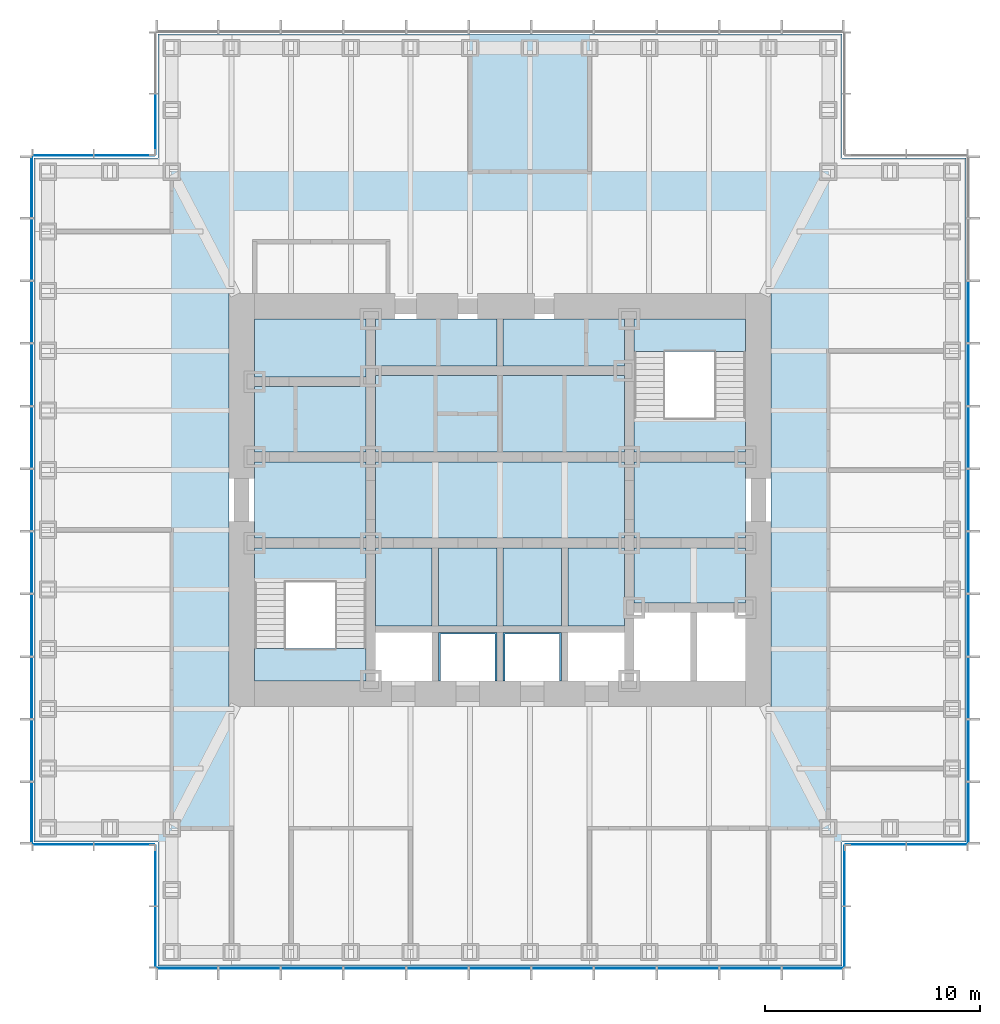
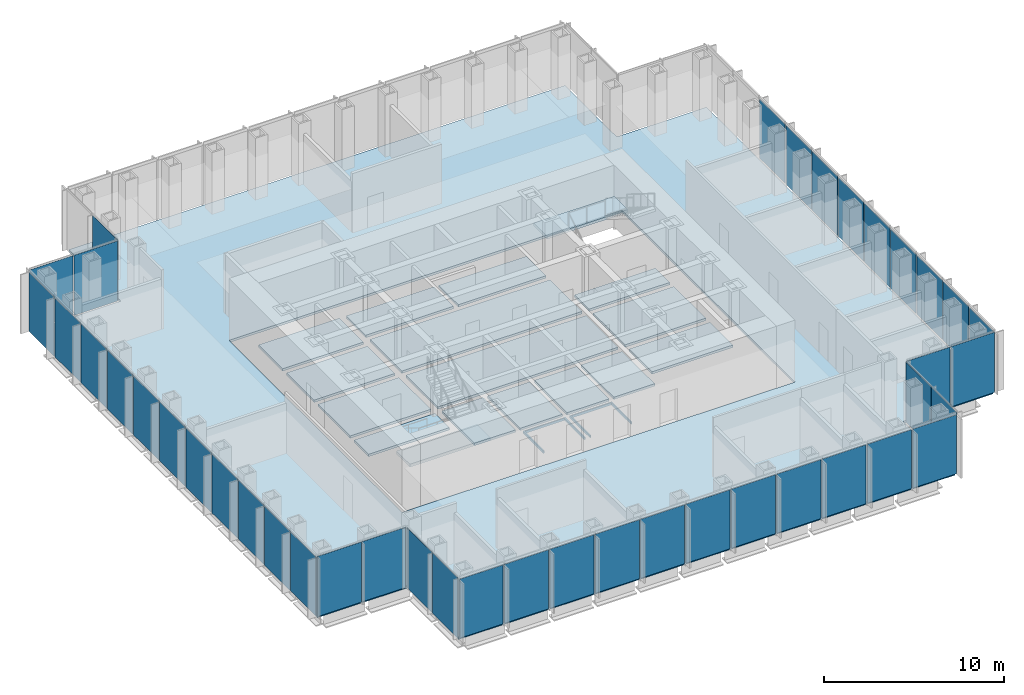
# One storey, part 7 of 16: 42 plates, 20 slabs, 11 elements without a shape of their own.
"""IFC4 building model written with IfcOpenShell, lengths in metres."""

from ifc_helpers import new_model, si_unit, direction, frame, origin, origin_2d, place, context, subcontext, project, spatial, polyline, rectangle, outline, extrude, material, layer, layer_set, type_object, element, aggregate, save


model = new_model("IFC4")

# Units and contexts
model_context = context("Model", 3, precision=1e-05, world=origin(), true_north=direction((0.0, 1.0)))
body_context = subcontext(model_context, "Body", "Model", "MODEL_VIEW")
ifc_project = project(units=[si_unit("LENGTHUNIT", "METRE"), si_unit("AREAUNIT", "SQUARE_METRE"), si_unit("VOLUMEUNIT", "CUBIC_METRE"), si_unit("PLANEANGLEUNIT", "RADIAN"), si_unit("MASSUNIT", "GRAM", prefix="KILO")], contexts=[model_context])

# Site, building, storey
site_placement = place(None, origin())
site = spatial("IfcSite", under=ifc_project, at=site_placement, CompositionType="ELEMENT")
building_placement = place(site_placement, origin())
building = spatial("IfcBuilding", under=site, at=building_placement, Name="Daluyong Arena Tower", CompositionType="ELEMENT")
storey_placement = place(building_placement, frame((0.0, 0.0, 271.300048828125)))
storey = spatial("IfcBuildingStorey", under=building, at=storey_placement, Name="L61", CompositionType="ELEMENT", Elevation=271.300048828125)

# Curtain wall, plates
ifc_material_1 = material(Name="Bronze anodised aluminium and glass", Category="aluminium")
curtain_wall_type_1 = type_object("IfcCurtainWallType", Name="Curtain wall CW4", PredefinedType="USERDEFINED", material=ifc_material_1)
curtain_wall_1_placement = place(storey_placement, origin())
curtain_wall_1 = element("IfcCurtainWall", 1, at=curtain_wall_1_placement, inside=storey, type_object=curtain_wall_type_1, Name="curtain wall L61 S", ObjectType="UNITISED CURTAIN WALL", PredefinedType="USERDEFINED")
ifc_material_2 = material(Name="Tinted laminated double glazed unit", Category="glass")
ifc_layer_1 = layer(ifc_material_2, 0.035888671875)
ifc_layer_set_1 = layer_set([ifc_layer_1], Name="Tinted laminated double glazed unit")
plate_type_1 = type_object("IfcPlateType", Name="CW4 panel 36", PredefinedType="CURTAIN_PANEL", material=ifc_layer_set_1)
plate_1_placement = place(storey_placement, frame((41.47705078125, 58.25, 0.0), z_axis=(0.0, 0.0, 1.0), x_axis=(1.0, 0.0, 0.0)))
plate_1 = element("IfcPlate", 2, at=plate_1_placement, type_object=plate_type_1, Name="curtain wall L61 S panel 1", PredefinedType="CURTAIN_PANEL", context=body_context, shape_type="SweptSolid", body=[
    extrude(rectangle(XDim=2.774169921875, YDim=0.035888671875, at=origin_2d()), origin(), (0.0, 0.0, 1.0), 4.0),
])
plate_2_placement = place(storey_placement, frame((44.363525390625, 58.25, 0.0), z_axis=(0.0, 0.0, 1.0), x_axis=(1.0, 0.0, 0.0)))
plate_2 = element("IfcPlate", 3, at=plate_2_placement, type_object=plate_type_1, Name="curtain wall L61 S panel 2", PredefinedType="CURTAIN_PANEL", context=body_context, shape_type="SweptSolid", body=[
    extrude(rectangle(XDim=2.819091796875, YDim=0.035888671875, at=origin_2d()), origin(), (0.0, 0.0, 1.0), 4.0),
])
plate_3_placement = place(storey_placement, frame((47.272705078125, 58.25, 0.0), z_axis=(0.0, 0.0, 1.0), x_axis=(1.0, 0.0, 0.0)))
plate_3 = element("IfcPlate", 4, at=plate_3_placement, type_object=plate_type_1, Name="curtain wall L61 S panel 3", PredefinedType="CURTAIN_PANEL", context=body_context, shape_type="SweptSolid", body=[
    extrude(rectangle(XDim=2.819091796875, YDim=0.035888671875, at=origin_2d()), origin(), (0.0, 0.0, 1.0), 4.0),
])
plate_4_placement = place(storey_placement, frame((50.181884765625, 58.25, 0.0), z_axis=(0.0, 0.0, 1.0), x_axis=(1.0, 0.0, 0.0)))
plate_4 = element("IfcPlate", 5, at=plate_4_placement, type_object=plate_type_1, Name="curtain wall L61 S panel 4", PredefinedType="CURTAIN_PANEL", context=body_context, shape_type="SweptSolid", body=[
    extrude(rectangle(XDim=2.819091796875, YDim=0.035888671875, at=origin_2d()), origin(), (0.0, 0.0, 1.0), 4.0),
])
plate_5_placement = place(storey_placement, frame((53.0908203125, 58.25, 0.0), z_axis=(0.0, 0.0, 1.0), x_axis=(1.0, 0.0, 0.0)))
plate_5 = element("IfcPlate", 6, at=plate_5_placement, type_object=plate_type_1, Name="curtain wall L61 S panel 5", PredefinedType="CURTAIN_PANEL", context=body_context, shape_type="SweptSolid", body=[
    extrude(rectangle(XDim=2.819091796875, YDim=0.035888671875, at=origin_2d()), origin(), (0.0, 0.0, 1.0), 4.0),
])
plate_6_placement = place(storey_placement, frame((56.0, 58.25, 0.0), z_axis=(0.0, 0.0, 1.0), x_axis=(1.0, 0.0, 0.0)))
plate_6 = element("IfcPlate", 7, at=plate_6_placement, type_object=plate_type_1, Name="curtain wall L61 S panel 6", PredefinedType="CURTAIN_PANEL", context=body_context, shape_type="SweptSolid", body=[
    extrude(rectangle(XDim=2.819091796875, YDim=0.035888671875, at=origin_2d()), origin(), (0.0, 0.0, 1.0), 4.0),
])
plate_7_placement = place(storey_placement, frame((58.9091796875, 58.25, 0.0), z_axis=(0.0, 0.0, 1.0), x_axis=(1.0, 0.0, 0.0)))
plate_7 = element("IfcPlate", 8, at=plate_7_placement, type_object=plate_type_1, Name="curtain wall L61 S panel 7", PredefinedType="CURTAIN_PANEL", context=body_context, shape_type="SweptSolid", body=[
    extrude(rectangle(XDim=2.819091796875, YDim=0.035888671875, at=origin_2d()), origin(), (0.0, 0.0, 1.0), 4.0),
])
plate_8_placement = place(storey_placement, frame((61.818115234375, 58.25, 0.0), z_axis=(0.0, 0.0, 1.0), x_axis=(1.0, 0.0, 0.0)))
plate_8 = element("IfcPlate", 9, at=plate_8_placement, type_object=plate_type_1, Name="curtain wall L61 S panel 8", PredefinedType="CURTAIN_PANEL", context=body_context, shape_type="SweptSolid", body=[
    extrude(rectangle(XDim=2.819091796875, YDim=0.035888671875, at=origin_2d()), origin(), (0.0, 0.0, 1.0), 4.0),
])
plate_9_placement = place(storey_placement, frame((64.727294921875, 58.25, 0.0), z_axis=(0.0, 0.0, 1.0), x_axis=(1.0, 0.0, 0.0)))
plate_9 = element("IfcPlate", 10, at=plate_9_placement, type_object=plate_type_1, Name="curtain wall L61 S panel 9", PredefinedType="CURTAIN_PANEL", context=body_context, shape_type="SweptSolid", body=[
    extrude(rectangle(XDim=2.819091796875, YDim=0.035888671875, at=origin_2d()), origin(), (0.0, 0.0, 1.0), 4.0),
])
plate_10_placement = place(storey_placement, frame((67.636474609375, 58.25, 0.0), z_axis=(0.0, 0.0, 1.0), x_axis=(1.0, 0.0, 0.0)))
plate_10 = element("IfcPlate", 11, at=plate_10_placement, type_object=plate_type_1, Name="curtain wall L61 S panel 10", PredefinedType="CURTAIN_PANEL", context=body_context, shape_type="SweptSolid", body=[
    extrude(rectangle(XDim=2.819091796875, YDim=0.035888671875, at=origin_2d()), origin(), (0.0, 0.0, 1.0), 4.0),
])
plate_11_placement = place(storey_placement, frame((70.52294921875, 58.25, 0.0), z_axis=(0.0, 0.0, 1.0), x_axis=(1.0, 0.0, 0.0)))
plate_11 = element("IfcPlate", 12, at=plate_11_placement, type_object=plate_type_1, Name="curtain wall L61 S panel 11", PredefinedType="CURTAIN_PANEL", context=body_context, shape_type="SweptSolid", body=[
    extrude(rectangle(XDim=2.774169921875, YDim=0.035888671875, at=origin_2d()), origin(), (0.0, 0.0, 1.0), 4.0),
])
aggregate(curtain_wall_1, [plate_1, plate_2, plate_3, plate_4, plate_5, plate_6, plate_7, plate_8, plate_9, plate_10, plate_11])

curtain_wall_2_placement = place(storey_placement, origin())
curtain_wall_2 = element("IfcCurtainWall", 13, at=curtain_wall_2_placement, inside=storey, type_object=curtain_wall_type_1, Name="curtain wall L61 E", ObjectType="UNITISED CURTAIN WALL", PredefinedType="USERDEFINED")
plate_12_placement = place(storey_placement, frame((77.75, 65.47705078125, 0.0), z_axis=(0.0, 0.0, 1.0), x_axis=(0.0, 1.0, 0.0)))
plate_12 = element("IfcPlate", 14, at=plate_12_placement, type_object=plate_type_1, Name="curtain wall L61 E panel 1", PredefinedType="CURTAIN_PANEL", context=body_context, shape_type="SweptSolid", body=[
    extrude(rectangle(XDim=2.774169921875, YDim=0.035888671875, at=origin_2d()), origin(), (0.0, 0.0, 1.0), 4.0),
])
plate_13_placement = place(storey_placement, frame((77.75, 68.363525390625, 0.0), z_axis=(0.0, 0.0, 1.0), x_axis=(0.0, 1.0, 0.0)))
plate_13 = element("IfcPlate", 15, at=plate_13_placement, type_object=plate_type_1, Name="curtain wall L61 E panel 2", PredefinedType="CURTAIN_PANEL", context=body_context, shape_type="SweptSolid", body=[
    extrude(rectangle(XDim=2.819091796875, YDim=0.035888671875, at=origin_2d()), origin(), (0.0, 0.0, 1.0), 4.0),
])
plate_14_placement = place(storey_placement, frame((77.75, 71.272705078125, 0.0), z_axis=(0.0, 0.0, 1.0), x_axis=(0.0, 1.0, 0.0)))
plate_14 = element("IfcPlate", 16, at=plate_14_placement, type_object=plate_type_1, Name="curtain wall L61 E panel 3", PredefinedType="CURTAIN_PANEL", context=body_context, shape_type="SweptSolid", body=[
    extrude(rectangle(XDim=2.819091796875, YDim=0.035888671875, at=origin_2d()), origin(), (0.0, 0.0, 1.0), 4.0),
])
plate_15_placement = place(storey_placement, frame((77.75, 74.181884765625, 0.0), z_axis=(0.0, 0.0, 1.0), x_axis=(0.0, 1.0, 0.0)))
plate_15 = element("IfcPlate", 17, at=plate_15_placement, type_object=plate_type_1, Name="curtain wall L61 E panel 4", PredefinedType="CURTAIN_PANEL", context=body_context, shape_type="SweptSolid", body=[
    extrude(rectangle(XDim=2.819091796875, YDim=0.035888671875, at=origin_2d()), origin(), (0.0, 0.0, 1.0), 4.0),
])
plate_16_placement = place(storey_placement, frame((77.75, 77.0908203125, 0.0), z_axis=(0.0, 0.0, 1.0), x_axis=(0.0, 1.0, 0.0)))
plate_16 = element("IfcPlate", 18, at=plate_16_placement, type_object=plate_type_1, Name="curtain wall L61 E panel 5", PredefinedType="CURTAIN_PANEL", context=body_context, shape_type="SweptSolid", body=[
    extrude(rectangle(XDim=2.819091796875, YDim=0.035888671875, at=origin_2d()), origin(), (0.0, 0.0, 1.0), 4.0),
])
plate_17_placement = place(storey_placement, frame((77.75, 80.0, 0.0), z_axis=(0.0, 0.0, 1.0), x_axis=(0.0, 1.0, 0.0)))
plate_17 = element("IfcPlate", 19, at=plate_17_placement, type_object=plate_type_1, Name="curtain wall L61 E panel 6", PredefinedType="CURTAIN_PANEL", context=body_context, shape_type="SweptSolid", body=[
    extrude(rectangle(XDim=2.819091796875, YDim=0.035888671875, at=origin_2d()), origin(), (0.0, 0.0, 1.0), 4.0),
])
plate_18_placement = place(storey_placement, frame((77.75, 82.9091796875, 0.0), z_axis=(0.0, 0.0, 1.0), x_axis=(0.0, 1.0, 0.0)))
plate_18 = element("IfcPlate", 20, at=plate_18_placement, type_object=plate_type_1, Name="curtain wall L61 E panel 7", PredefinedType="CURTAIN_PANEL", context=body_context, shape_type="SweptSolid", body=[
    extrude(rectangle(XDim=2.819091796875, YDim=0.035888671875, at=origin_2d()), origin(), (0.0, 0.0, 1.0), 4.0),
])
plate_19_placement = place(storey_placement, frame((77.75, 85.818115234375, 0.0), z_axis=(0.0, 0.0, 1.0), x_axis=(0.0, 1.0, 0.0)))
plate_19 = element("IfcPlate", 21, at=plate_19_placement, type_object=plate_type_1, Name="curtain wall L61 E panel 8", PredefinedType="CURTAIN_PANEL", context=body_context, shape_type="SweptSolid", body=[
    extrude(rectangle(XDim=2.819091796875, YDim=0.035888671875, at=origin_2d()), origin(), (0.0, 0.0, 1.0), 4.0),
])
plate_20_placement = place(storey_placement, frame((77.75, 88.727294921875, 0.0), z_axis=(0.0, 0.0, 1.0), x_axis=(0.0, 1.0, 0.0)))
plate_20 = element("IfcPlate", 22, at=plate_20_placement, type_object=plate_type_1, Name="curtain wall L61 E panel 9", PredefinedType="CURTAIN_PANEL", context=body_context, shape_type="SweptSolid", body=[
    extrude(rectangle(XDim=2.819091796875, YDim=0.035888671875, at=origin_2d()), origin(), (0.0, 0.0, 1.0), 4.0),
])
aggregate(curtain_wall_2, [plate_12, plate_13, plate_14, plate_15, plate_16, plate_17, plate_18, plate_19, plate_20])

curtain_wall_3_placement = place(storey_placement, origin())
curtain_wall_3 = element("IfcCurtainWall", 23, at=curtain_wall_3_placement, inside=storey, type_object=curtain_wall_type_1, Name="curtain wall L61 W", ObjectType="UNITISED CURTAIN WALL", PredefinedType="USERDEFINED")
plate_21_placement = place(storey_placement, frame((34.25, 94.52294921875, 0.0), z_axis=(0.0, 0.0, 1.0), x_axis=(0.0, -1.0, 0.0)))
plate_21 = element("IfcPlate", 24, at=plate_21_placement, type_object=plate_type_1, Name="curtain wall L61 W panel 1", PredefinedType="CURTAIN_PANEL", context=body_context, shape_type="SweptSolid", body=[
    extrude(rectangle(XDim=2.774169921875, YDim=0.035888671875, at=origin_2d()), origin(), (0.0, 0.0, 1.0), 4.0),
])
plate_22_placement = place(storey_placement, frame((34.25, 91.636474609375, 0.0), z_axis=(0.0, 0.0, 1.0), x_axis=(0.0, -1.0, 0.0)))
plate_22 = element("IfcPlate", 25, at=plate_22_placement, type_object=plate_type_1, Name="curtain wall L61 W panel 2", PredefinedType="CURTAIN_PANEL", context=body_context, shape_type="SweptSolid", body=[
    extrude(rectangle(XDim=2.819091796875, YDim=0.035888671875, at=origin_2d()), origin(), (0.0, 0.0, 1.0), 4.0),
])
plate_23_placement = place(storey_placement, frame((34.25, 88.727294921875, 0.0), z_axis=(0.0, 0.0, 1.0), x_axis=(0.0, -1.0, 0.0)))
plate_23 = element("IfcPlate", 26, at=plate_23_placement, type_object=plate_type_1, Name="curtain wall L61 W panel 3", PredefinedType="CURTAIN_PANEL", context=body_context, shape_type="SweptSolid", body=[
    extrude(rectangle(XDim=2.819091796875, YDim=0.035888671875, at=origin_2d()), origin(), (0.0, 0.0, 1.0), 4.0),
])
plate_24_placement = place(storey_placement, frame((34.25, 85.818115234375, 0.0), z_axis=(0.0, 0.0, 1.0), x_axis=(0.0, -1.0, 0.0)))
plate_24 = element("IfcPlate", 27, at=plate_24_placement, type_object=plate_type_1, Name="curtain wall L61 W panel 4", PredefinedType="CURTAIN_PANEL", context=body_context, shape_type="SweptSolid", body=[
    extrude(rectangle(XDim=2.819091796875, YDim=0.035888671875, at=origin_2d()), origin(), (0.0, 0.0, 1.0), 4.0),
])
plate_25_placement = place(storey_placement, frame((34.25, 82.9091796875, 0.0), z_axis=(0.0, 0.0, 1.0), x_axis=(0.0, -1.0, 0.0)))
plate_25 = element("IfcPlate", 28, at=plate_25_placement, type_object=plate_type_1, Name="curtain wall L61 W panel 5", PredefinedType="CURTAIN_PANEL", context=body_context, shape_type="SweptSolid", body=[
    extrude(rectangle(XDim=2.819091796875, YDim=0.035888671875, at=origin_2d()), origin(), (0.0, 0.0, 1.0), 4.0),
])
plate_26_placement = place(storey_placement, frame((34.25, 80.0, 0.0), z_axis=(0.0, 0.0, 1.0), x_axis=(0.0, -1.0, 0.0)))
plate_26 = element("IfcPlate", 29, at=plate_26_placement, type_object=plate_type_1, Name="curtain wall L61 W panel 6", PredefinedType="CURTAIN_PANEL", context=body_context, shape_type="SweptSolid", body=[
    extrude(rectangle(XDim=2.819091796875, YDim=0.035888671875, at=origin_2d()), origin(), (0.0, 0.0, 1.0), 4.0),
])
plate_27_placement = place(storey_placement, frame((34.25, 77.0908203125, 0.0), z_axis=(0.0, 0.0, 1.0), x_axis=(0.0, -1.0, 0.0)))
plate_27 = element("IfcPlate", 30, at=plate_27_placement, type_object=plate_type_1, Name="curtain wall L61 W panel 7", PredefinedType="CURTAIN_PANEL", context=body_context, shape_type="SweptSolid", body=[
    extrude(rectangle(XDim=2.819091796875, YDim=0.035888671875, at=origin_2d()), origin(), (0.0, 0.0, 1.0), 4.0),
])
plate_28_placement = place(storey_placement, frame((34.25, 74.181884765625, 0.0), z_axis=(0.0, 0.0, 1.0), x_axis=(0.0, -1.0, 0.0)))
plate_28 = element("IfcPlate", 31, at=plate_28_placement, type_object=plate_type_1, Name="curtain wall L61 W panel 8", PredefinedType="CURTAIN_PANEL", context=body_context, shape_type="SweptSolid", body=[
    extrude(rectangle(XDim=2.819091796875, YDim=0.035888671875, at=origin_2d()), origin(), (0.0, 0.0, 1.0), 4.0),
])
plate_29_placement = place(storey_placement, frame((34.25, 71.272705078125, 0.0), z_axis=(0.0, 0.0, 1.0), x_axis=(0.0, -1.0, 0.0)))
plate_29 = element("IfcPlate", 32, at=plate_29_placement, type_object=plate_type_1, Name="curtain wall L61 W panel 9", PredefinedType="CURTAIN_PANEL", context=body_context, shape_type="SweptSolid", body=[
    extrude(rectangle(XDim=2.819091796875, YDim=0.035888671875, at=origin_2d()), origin(), (0.0, 0.0, 1.0), 4.0),
])
plate_30_placement = place(storey_placement, frame((34.25, 68.363525390625, 0.0), z_axis=(0.0, 0.0, 1.0), x_axis=(0.0, -1.0, 0.0)))
plate_30 = element("IfcPlate", 33, at=plate_30_placement, type_object=plate_type_1, Name="curtain wall L61 W panel 10", PredefinedType="CURTAIN_PANEL", context=body_context, shape_type="SweptSolid", body=[
    extrude(rectangle(XDim=2.819091796875, YDim=0.035888671875, at=origin_2d()), origin(), (0.0, 0.0, 1.0), 4.0),
])
plate_31_placement = place(storey_placement, frame((34.25, 65.47705078125, 0.0), z_axis=(0.0, 0.0, 1.0), x_axis=(0.0, -1.0, 0.0)))
plate_31 = element("IfcPlate", 34, at=plate_31_placement, type_object=plate_type_1, Name="curtain wall L61 W panel 11", PredefinedType="CURTAIN_PANEL", context=body_context, shape_type="SweptSolid", body=[
    extrude(rectangle(XDim=2.774169921875, YDim=0.035888671875, at=origin_2d()), origin(), (0.0, 0.0, 1.0), 4.0),
])
aggregate(curtain_wall_3, [plate_21, plate_22, plate_23, plate_24, plate_25, plate_26, plate_27, plate_28, plate_29, plate_30, plate_31])

ifc_material_3 = material(Name="Bronze anodised aluminium and glass", Category="aluminium")
curtain_wall_type_2 = type_object("IfcCurtainWallType", Name="Curtain wall CW7", PredefinedType="USERDEFINED", material=ifc_material_3)
curtain_wall_4_placement = place(storey_placement, origin())
curtain_wall_4 = element("IfcCurtainWall", 35, at=curtain_wall_4_placement, inside=storey, type_object=curtain_wall_type_2, Name="curtain wall L61 SE-E", ObjectType="UNITISED CURTAIN WALL", PredefinedType="USERDEFINED")
ifc_material_4 = material(Name="Tinted double glazed unit", Category="glass")
ifc_layer_2 = layer(ifc_material_4, 0.028076171875)
ifc_layer_set_2 = layer_set([ifc_layer_2], Name="Tinted double glazed unit")
plate_type_2 = type_object("IfcPlateType", Name="CW7 panel 28", PredefinedType="CURTAIN_PANEL", material=ifc_layer_set_2)
plate_32_placement = place(storey_placement, frame((72.0, 59.702392578125, 0.0), z_axis=(0.0, 0.0, 1.0), x_axis=(0.0, 1.0, 0.0)))
plate_32 = element("IfcPlate", 36, at=plate_32_placement, type_object=plate_type_2, Name="curtain wall L61 SE-E panel 1", PredefinedType="CURTAIN_PANEL", context=body_context, shape_type="SweptSolid", body=[
    extrude(rectangle(XDim=2.784912109375, YDim=0.028076171875, at=origin_2d()), origin(), (0.0, 0.0, 1.0), 4.080078125),
])
plate_33_placement = place(storey_placement, frame((72.0, 62.547607421875, 0.0), z_axis=(0.0, 0.0, 1.0), x_axis=(0.0, 1.0, 0.0)))
plate_33 = element("IfcPlate", 37, at=plate_33_placement, type_object=plate_type_2, Name="curtain wall L61 SE-E panel 2", PredefinedType="CURTAIN_PANEL", context=body_context, shape_type="SweptSolid", body=[
    extrude(rectangle(XDim=2.784912109375, YDim=0.028076171875, at=origin_2d()), origin(), (0.0, 0.0, 1.0), 4.080078125),
])
aggregate(curtain_wall_4, [plate_32, plate_33])

curtain_wall_5_placement = place(storey_placement, origin())
curtain_wall_5 = element("IfcCurtainWall", 38, at=curtain_wall_5_placement, inside=storey, type_object=curtain_wall_type_2, Name="curtain wall L61 SE-S", ObjectType="UNITISED CURTAIN WALL", PredefinedType="USERDEFINED")
plate_34_placement = place(storey_placement, frame((73.452392578125, 64.0, 0.0), z_axis=(0.0, 0.0, 1.0), x_axis=(1.0, 0.0, 0.0)))
plate_34 = element("IfcPlate", 39, at=plate_34_placement, type_object=plate_type_2, Name="curtain wall L61 SE-S panel 1", PredefinedType="CURTAIN_PANEL", context=body_context, shape_type="SweptSolid", body=[
    extrude(rectangle(XDim=2.784912109375, YDim=0.028076171875, at=origin_2d()), origin(), (0.0, 0.0, 1.0), 4.080078125),
])
plate_35_placement = place(storey_placement, frame((76.297607421875, 64.0, 0.0), z_axis=(0.0, 0.0, 1.0), x_axis=(1.0, 0.0, 0.0)))
plate_35 = element("IfcPlate", 40, at=plate_35_placement, type_object=plate_type_2, Name="curtain wall L61 SE-S panel 2", PredefinedType="CURTAIN_PANEL", context=body_context, shape_type="SweptSolid", body=[
    extrude(rectangle(XDim=2.784912109375, YDim=0.028076171875, at=origin_2d()), origin(), (0.0, 0.0, 1.0), 4.080078125),
])
aggregate(curtain_wall_5, [plate_34, plate_35])

# Curtain wall, plate
curtain_wall_6_placement = place(storey_placement, origin())
curtain_wall_6 = element("IfcCurtainWall", 41, at=curtain_wall_6_placement, inside=storey, type_object=curtain_wall_type_2, Name="curtain wall L61 NW-W", ObjectType="UNITISED CURTAIN WALL", PredefinedType="USERDEFINED")
plate_36_placement = place(storey_placement, frame((40.0, 97.452392578125, 0.0), z_axis=(0.0, 0.0, 1.0), x_axis=(0.0, -1.0, 0.0)))
plate_36 = element("IfcPlate", 42, at=plate_36_placement, type_object=plate_type_2, Name="curtain wall L61 NW-W panel 2", PredefinedType="CURTAIN_PANEL", context=body_context, shape_type="SweptSolid", body=[
    extrude(rectangle(XDim=2.784912109375, YDim=0.028076171875, at=origin_2d()), origin(), (0.0, 0.0, 1.0), 4.080078125),
])
aggregate(curtain_wall_6, [plate_36])

# Curtain wall, plates
curtain_wall_7_placement = place(storey_placement, origin())
curtain_wall_7 = element("IfcCurtainWall", 43, at=curtain_wall_7_placement, inside=storey, type_object=curtain_wall_type_2, Name="curtain wall L61 NW-N", ObjectType="UNITISED CURTAIN WALL", PredefinedType="USERDEFINED")
plate_37_placement = place(storey_placement, frame((38.547607421875, 96.0, 0.0), z_axis=(0.0, 0.0, 1.0), x_axis=(-1.0, 0.0, 0.0)))
plate_37 = element("IfcPlate", 44, at=plate_37_placement, type_object=plate_type_2, Name="curtain wall L61 NW-N panel 1", PredefinedType="CURTAIN_PANEL", context=body_context, shape_type="SweptSolid", body=[
    extrude(rectangle(XDim=2.784912109375, YDim=0.028076171875, at=origin_2d()), origin(), (0.0, 0.0, 1.0), 4.080078125),
])
plate_38_placement = place(storey_placement, frame((35.702392578125, 96.0, 0.0), z_axis=(0.0, 0.0, 1.0), x_axis=(-1.0, 0.0, 0.0)))
plate_38 = element("IfcPlate", 45, at=plate_38_placement, type_object=plate_type_2, Name="curtain wall L61 NW-N panel 2", PredefinedType="CURTAIN_PANEL", context=body_context, shape_type="SweptSolid", body=[
    extrude(rectangle(XDim=2.784912109375, YDim=0.028076171875, at=origin_2d()), origin(), (0.0, 0.0, 1.0), 4.080078125),
])
aggregate(curtain_wall_7, [plate_37, plate_38])

curtain_wall_8_placement = place(storey_placement, origin())
curtain_wall_8 = element("IfcCurtainWall", 46, at=curtain_wall_8_placement, inside=storey, type_object=curtain_wall_type_2, Name="curtain wall L61 SW-S", ObjectType="UNITISED CURTAIN WALL", PredefinedType="USERDEFINED")
plate_39_placement = place(storey_placement, frame((35.702392578125, 64.0, 0.0), z_axis=(0.0, 0.0, 1.0), x_axis=(1.0, 0.0, 0.0)))
plate_39 = element("IfcPlate", 47, at=plate_39_placement, type_object=plate_type_2, Name="curtain wall L61 SW-S panel 1", PredefinedType="CURTAIN_PANEL", context=body_context, shape_type="SweptSolid", body=[
    extrude(rectangle(XDim=2.784912109375, YDim=0.028076171875, at=origin_2d()), origin(), (0.0, 0.0, 1.0), 4.080078125),
])
plate_40_placement = place(storey_placement, frame((38.547607421875, 64.0, 0.0), z_axis=(0.0, 0.0, 1.0), x_axis=(1.0, 0.0, 0.0)))
plate_40 = element("IfcPlate", 48, at=plate_40_placement, type_object=plate_type_2, Name="curtain wall L61 SW-S panel 2", PredefinedType="CURTAIN_PANEL", context=body_context, shape_type="SweptSolid", body=[
    extrude(rectangle(XDim=2.784912109375, YDim=0.028076171875, at=origin_2d()), origin(), (0.0, 0.0, 1.0), 4.080078125),
])
aggregate(curtain_wall_8, [plate_39, plate_40])

curtain_wall_9_placement = place(storey_placement, origin())
curtain_wall_9 = element("IfcCurtainWall", 49, at=curtain_wall_9_placement, inside=storey, type_object=curtain_wall_type_2, Name="curtain wall L61 SW-W", ObjectType="UNITISED CURTAIN WALL", PredefinedType="USERDEFINED")
plate_41_placement = place(storey_placement, frame((40.0, 62.547607421875, 0.0), z_axis=(0.0, 0.0, 1.0), x_axis=(0.0, -1.0, 0.0)))
plate_41 = element("IfcPlate", 50, at=plate_41_placement, type_object=plate_type_2, Name="curtain wall L61 SW-W panel 1", PredefinedType="CURTAIN_PANEL", context=body_context, shape_type="SweptSolid", body=[
    extrude(rectangle(XDim=2.784912109375, YDim=0.028076171875, at=origin_2d()), origin(), (0.0, 0.0, 1.0), 4.080078125),
])
plate_42_placement = place(storey_placement, frame((40.0, 59.702392578125, 0.0), z_axis=(0.0, 0.0, 1.0), x_axis=(0.0, -1.0, 0.0)))
plate_42 = element("IfcPlate", 51, at=plate_42_placement, type_object=plate_type_2, Name="curtain wall L61 SW-W panel 2", PredefinedType="CURTAIN_PANEL", context=body_context, shape_type="SweptSolid", body=[
    extrude(rectangle(XDim=2.784912109375, YDim=0.028076171875, at=origin_2d()), origin(), (0.0, 0.0, 1.0), 4.080078125),
])
aggregate(curtain_wall_9, [plate_41, plate_42])

# Stair, slab
ifc_material_5 = material(Name="Concrete fc' 35 MPa", Category="concrete")
stair_type = type_object("IfcStairType", Name="Core exit stair", PredefinedType="HALF_TURN_STAIR", material=ifc_material_5)
stair_1_placement = place(storey_placement, origin())
stair_1 = element("IfcStair", 52, at=stair_1_placement, inside=storey, type_object=stair_type, Name="exit stair A L61", PredefinedType="HALF_TURN_STAIR")
ifc_material_6 = material(Name="Concrete fc' 35 MPa", Category="concrete")
ifc_layer_3 = layer(ifc_material_6, 0.199951171875)
ifc_layer_set_3 = layer_set([ifc_layer_3], Name="Concrete fc' 35 MPa")
slab_type_1 = type_object("IfcSlabType", Name="Stair landing 200", PredefinedType="LANDING", material=ifc_layer_set_3)
slab_1_placement = place(storey_placement, frame((0.0, 0.0, 1.89990234375)))
slab_1 = element("IfcSlab", 53, at=slab_1_placement, type_object=slab_type_1, Name="STA landing 1", PredefinedType="LANDING", context=body_context, shape_type="SweptSolid", body=[
    extrude(outline(polyline([(44.60009765625, 71.60009765625), (49.77490234375, 71.60009765625), (49.77490234375, 73.094970703125), (44.60009765625, 73.094970703125), (44.60009765625, 71.60009765625)])), origin(), (0.0, 0.0, 1.0), 0.199951171875),
])
aggregate(stair_1, [slab_1])

stair_2_placement = place(storey_placement, origin())
stair_2 = element("IfcStair", 54, at=stair_2_placement, inside=storey, type_object=stair_type, Name="exit stair B L61", PredefinedType="HALF_TURN_STAIR")
slab_2_placement = place(storey_placement, frame((0.0, 0.0, 1.89990234375)))
slab_2 = element("IfcSlab", 55, at=slab_2_placement, type_object=slab_type_1, Name="STB landing 1", PredefinedType="LANDING", context=body_context, shape_type="SweptSolid", body=[
    extrude(outline(polyline([(62.22509765625, 86.905029296875), (67.39990234375, 86.905029296875), (67.39990234375, 88.39990234375), (62.22509765625, 88.39990234375), (62.22509765625, 86.905029296875)])), origin(), (0.0, 0.0, 1.0), 0.199951171875),
])
aggregate(stair_2, [slab_2])

# Slabs
ifc_material_7 = material(Name="Concrete fc' 35 MPa", Category="concrete")
ifc_layer_4 = layer(ifc_material_7, 0.159912109375)
ifc_layer_set_4 = layer_set([ifc_layer_4], Name="Concrete fc' 35 MPa")
slab_type_2 = type_object("IfcSlabType", Name="Tower floor slab 160", PredefinedType="FLOOR", material=ifc_layer_set_4)
slab_3_placement = place(storey_placement, frame((0.0, 0.0, -0.16015625)))
element("IfcSlab", 56, at=slab_3_placement, inside=storey, type_object=slab_type_2, Name="floor L61 part 1", PredefinedType="FLOOR", context=body_context, shape_type="SweptSolid", body=[
    extrude(outline(polyline([(49.77490234375, 77.77490234375), (44.60009765625, 77.77490234375), (44.60009765625, 76.175048828125), (49.77490234375, 76.175048828125), (49.77490234375, 77.77490234375)])), origin(), (0.0, 0.0, 1.0), 0.16015625),
])
slab_4_placement = place(storey_placement, frame((0.0, 0.0, -0.16015625)))
element("IfcSlab", 57, at=slab_4_placement, inside=storey, type_object=slab_type_2, Name="floor L61 part 2", PredefinedType="FLOOR", context=body_context, shape_type="SweptSolid", body=[
    extrude(outline(polyline([(49.77490234375, 78.22509765625), (49.77490234375, 81.77490234375), (44.60009765625, 81.77490234375), (44.60009765625, 78.22509765625), (49.77490234375, 78.22509765625)])), origin(), (0.0, 0.0, 1.0), 0.16015625),
])
slab_5_placement = place(storey_placement, frame((0.0, 0.0, -0.16015625)))
element("IfcSlab", 58, at=slab_5_placement, inside=storey, type_object=slab_type_2, Name="floor L61 part 3", PredefinedType="FLOOR", context=body_context, shape_type="SweptSolid", body=[
    extrude(outline(polyline([(44.60009765625, 85.27490234375), (44.60009765625, 82.22509765625), (49.77490234375, 82.22509765625), (49.77490234375, 85.27490234375), (44.60009765625, 85.27490234375)])), origin(), (0.0, 0.0, 1.0), 0.16015625),
])
slab_6_placement = place(storey_placement, frame((0.0, 0.0, -0.16015625)))
element("IfcSlab", 59, at=slab_6_placement, inside=storey, type_object=slab_type_2, Name="floor L61 part 4", PredefinedType="FLOOR", context=body_context, shape_type="SweptSolid", body=[
    extrude(outline(polyline([(44.60009765625, 88.39990234375), (44.60009765625, 85.72509765625), (49.77490234375, 85.72509765625), (49.77490234375, 88.39990234375), (44.60009765625, 88.39990234375)])), origin(), (0.0, 0.0, 1.0), 0.16015625),
])
slab_7_placement = place(storey_placement, frame((0.0, 0.0, -0.16015625)))
element("IfcSlab", 60, at=slab_7_placement, inside=storey, type_object=slab_type_2, Name="floor L61 part 5", PredefinedType="FLOOR", context=body_context, shape_type="SweptSolid", body=[
    extrude(outline(polyline([(52.85009765625, 74.14990234375), (52.85009765625, 77.77490234375), (50.22509765625, 77.77490234375), (50.22509765625, 74.14990234375), (52.85009765625, 74.14990234375)])), origin(), (0.0, 0.0, 1.0), 0.16015625),
])
slab_8_placement = place(storey_placement, frame((0.0, 0.0, -0.16015625)))
element("IfcSlab", 61, at=slab_8_placement, inside=storey, type_object=slab_type_2, Name="floor L61 part 6", PredefinedType="FLOOR", context=body_context, shape_type="SweptSolid", body=[
    extrude(outline(polyline([(50.22509765625, 88.39990234375), (50.22509765625, 86.22509765625), (55.85009765625, 86.22509765625), (55.85009765625, 88.39990234375), (50.22509765625, 88.39990234375)])), origin(), (0.0, 0.0, 1.0), 0.16015625),
])
slab_9_placement = place(storey_placement, frame((0.0, 0.0, -0.16015625)))
element("IfcSlab", 62, at=slab_9_placement, inside=storey, type_object=slab_type_2, Name="floor L61 part 7", PredefinedType="FLOOR", context=body_context, shape_type="SweptSolid", body=[
    extrude(outline(polyline([(53.22509765625, 71.60009765625), (53.22509765625, 73.77490234375), (55.77490234375, 73.77490234375), (55.77490234375, 71.60009765625), (55.85009765625, 71.60009765625), (55.85009765625, 73.85009765625), (53.14990234375, 73.85009765625), (53.14990234375, 71.60009765625), (53.22509765625, 71.60009765625)])), origin(), (0.0, 0.0, 1.0), 0.16015625),
])
slab_10_placement = place(storey_placement, frame((0.0, 0.0, -0.16015625)))
element("IfcSlab", 63, at=slab_10_placement, inside=storey, type_object=slab_type_2, Name="floor L61 part 8", PredefinedType="FLOOR", context=body_context, shape_type="SweptSolid", body=[
    extrude(outline(polyline([(53.14990234375, 74.14990234375), (55.85009765625, 74.14990234375), (55.85009765625, 77.77490234375), (53.14990234375, 77.77490234375), (53.14990234375, 74.14990234375)])), origin(), (0.0, 0.0, 1.0), 0.16015625),
])
slab_11_placement = place(storey_placement, frame((0.0, 0.0, -0.16015625)))
element("IfcSlab", 64, at=slab_11_placement, inside=storey, type_object=slab_type_2, Name="floor L61 part 9", PredefinedType="FLOOR", context=body_context, shape_type="SweptSolid", body=[
    extrude(outline(polyline([(40.10009765625, 64.10009765625), (40.10009765625, 58.35009765625), (71.89990234375, 58.35009765625), (71.89990234375, 64.10009765625), (77.64990234375, 64.10009765625), (77.64990234375, 95.89990234375), (71.89990234375, 95.89990234375), (71.89990234375, 101.64990234375), (40.10009765625, 101.64990234375), (40.10009765625, 95.89990234375), (34.35009765625, 95.89990234375), (34.35009765625, 64.10009765625), (40.10009765625, 64.10009765625)]), holes=[polyline([(68.60009765625, 89.60009765625), (68.60009765625, 70.39990234375), (43.39990234375, 70.39990234375), (43.39990234375, 89.60009765625), (68.60009765625, 89.60009765625)])]), origin(), (0.0, 0.0, 1.0), 0.16015625),
])
slab_12_placement = place(storey_placement, frame((0.0, 0.0, -0.16015625)))
element("IfcSlab", 65, at=slab_12_placement, inside=storey, type_object=slab_type_2, Name="floor L61 part 10", PredefinedType="FLOOR", context=body_context, shape_type="SweptSolid", body=[
    extrude(outline(polyline([(50.22509765625, 81.77490234375), (50.22509765625, 78.22509765625), (61.77490234375, 78.22509765625), (61.77490234375, 81.77490234375), (50.22509765625, 81.77490234375)])), origin(), (0.0, 0.0, 1.0), 0.16015625),
])
slab_13_placement = place(storey_placement, frame((0.0, 0.0, -0.16015625)))
element("IfcSlab", 66, at=slab_13_placement, inside=storey, type_object=slab_type_2, Name="floor L61 part 11", PredefinedType="FLOOR", context=body_context, shape_type="SweptSolid", body=[
    extrude(outline(polyline([(50.22509765625, 85.77490234375), (50.22509765625, 82.22509765625), (61.77490234375, 82.22509765625), (61.77490234375, 85.77490234375), (50.22509765625, 85.77490234375)])), origin(), (0.0, 0.0, 1.0), 0.16015625),
])
slab_14_placement = place(storey_placement, frame((0.0, 0.0, -0.16015625)))
element("IfcSlab", 67, at=slab_14_placement, inside=storey, type_object=slab_type_2, Name="floor L61 part 12", PredefinedType="FLOOR", context=body_context, shape_type="SweptSolid", body=[
    extrude(outline(polyline([(56.22509765625, 71.60009765625), (56.22509765625, 73.77490234375), (58.77490234375, 73.77490234375), (58.77490234375, 71.60009765625), (58.85009765625, 71.60009765625), (58.85009765625, 73.85009765625), (56.14990234375, 73.85009765625), (56.14990234375, 71.60009765625), (56.22509765625, 71.60009765625)])), origin(), (0.0, 0.0, 1.0), 0.16015625),
])
slab_15_placement = place(storey_placement, frame((0.0, 0.0, -0.16015625)))
element("IfcSlab", 68, at=slab_15_placement, inside=storey, type_object=slab_type_2, Name="floor L61 part 13", PredefinedType="FLOOR", context=body_context, shape_type="SweptSolid", body=[
    extrude(outline(polyline([(58.85009765625, 77.77490234375), (56.14990234375, 77.77490234375), (56.14990234375, 74.14990234375), (58.85009765625, 74.14990234375), (58.85009765625, 77.77490234375)])), origin(), (0.0, 0.0, 1.0), 0.16015625),
])
slab_16_placement = place(storey_placement, frame((0.0, 0.0, -0.16015625)))
element("IfcSlab", 69, at=slab_16_placement, inside=storey, type_object=slab_type_2, Name="floor L61 part 14", PredefinedType="FLOOR", context=body_context, shape_type="SweptSolid", body=[
    extrude(outline(polyline([(56.14990234375, 88.39990234375), (56.14990234375, 86.22509765625), (61.77490234375, 86.22509765625), (61.77490234375, 88.39990234375), (56.14990234375, 88.39990234375)])), origin(), (0.0, 0.0, 1.0), 0.16015625),
])
slab_17_placement = place(storey_placement, frame((0.0, 0.0, -0.16015625)))
element("IfcSlab", 70, at=slab_17_placement, inside=storey, type_object=slab_type_2, Name="floor L61 part 15", PredefinedType="FLOOR", context=body_context, shape_type="SweptSolid", body=[
    extrude(outline(polyline([(61.77490234375, 77.77490234375), (59.14990234375, 77.77490234375), (59.14990234375, 74.14990234375), (61.77490234375, 74.14990234375), (61.77490234375, 77.77490234375)])), origin(), (0.0, 0.0, 1.0), 0.16015625),
])
slab_18_placement = place(storey_placement, frame((0.0, 0.0, -0.16015625)))
element("IfcSlab", 71, at=slab_18_placement, inside=storey, type_object=slab_type_2, Name="floor L61 part 16", PredefinedType="FLOOR", context=body_context, shape_type="SweptSolid", body=[
    extrude(outline(polyline([(67.39990234375, 75.22509765625), (67.39990234375, 77.77490234375), (62.22509765625, 77.77490234375), (62.22509765625, 75.22509765625), (67.39990234375, 75.22509765625)])), origin(), (0.0, 0.0, 1.0), 0.16015625),
])
slab_19_placement = place(storey_placement, frame((0.0, 0.0, -0.16015625)))
element("IfcSlab", 72, at=slab_19_placement, inside=storey, type_object=slab_type_2, Name="floor L61 part 17", PredefinedType="FLOOR", context=body_context, shape_type="SweptSolid", body=[
    extrude(outline(polyline([(67.39990234375, 78.22509765625), (67.39990234375, 81.77490234375), (62.22509765625, 81.77490234375), (62.22509765625, 78.22509765625), (67.39990234375, 78.22509765625)])), origin(), (0.0, 0.0, 1.0), 0.16015625),
])
slab_20_placement = place(storey_placement, frame((0.0, 0.0, -0.16015625)))
element("IfcSlab", 73, at=slab_20_placement, inside=storey, type_object=slab_type_2, Name="floor L61 part 18", PredefinedType="FLOOR", context=body_context, shape_type="SweptSolid", body=[
    extrude(outline(polyline([(67.39990234375, 83.824951171875), (62.22509765625, 83.824951171875), (62.22509765625, 82.22509765625), (67.39990234375, 82.22509765625), (67.39990234375, 83.824951171875)])), origin(), (0.0, 0.0, 1.0), 0.16015625),
])

save(model, "model.ifc")
